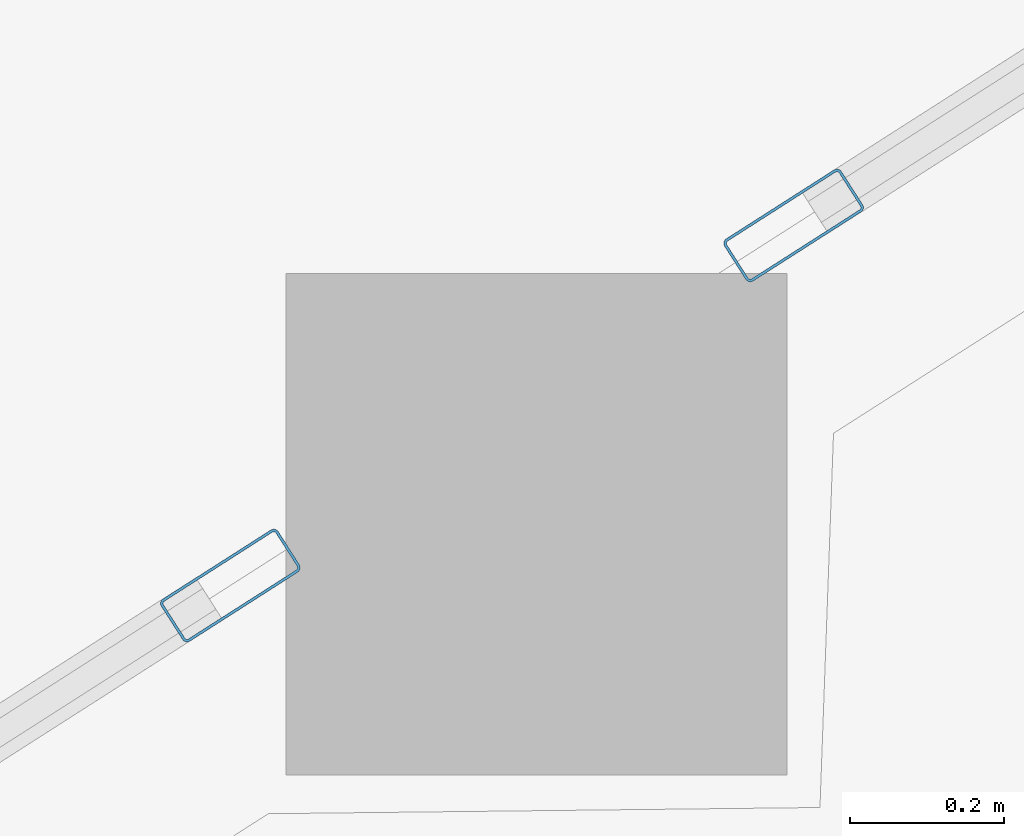
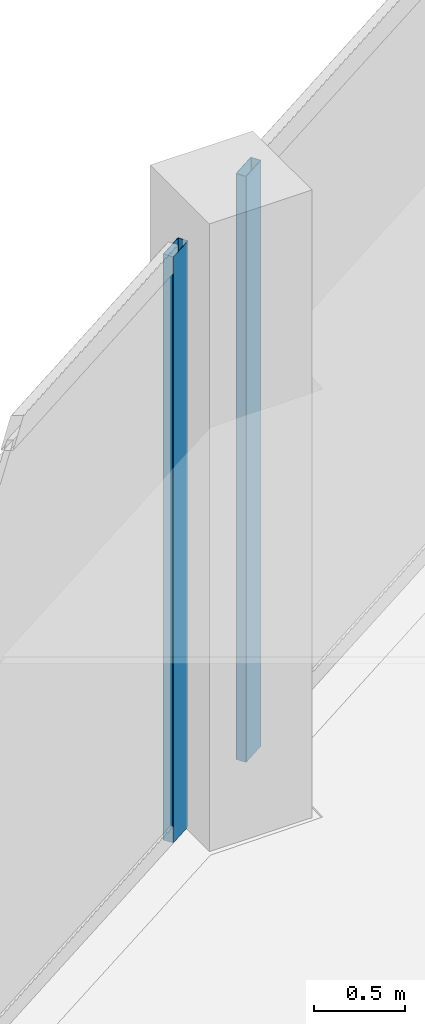
# One storey, part 16 of 44: 2 members, 2 elements without a shape of their own.
"""IFC4 building model written with IfcOpenShell, lengths in metres."""

from ifc_helpers import new_model, si_unit, direction, frame, origin, origin_2d, place, context, subcontext, project, spatial, hollow_rectangle, extrude, material, layer, layer_set, material_profile, profile_set, type_object, element, aggregate, save


model = new_model("IFC4")

# Units and contexts
model_context = context("Model", 3, precision=1e-05, world=origin(), true_north=direction((0.0, 1.0)))
body_context = subcontext(model_context, "Body", "Model", "MODEL_VIEW")
ifc_project = project(units=[si_unit("LENGTHUNIT", "METRE"), si_unit("AREAUNIT", "SQUARE_METRE"), si_unit("VOLUMEUNIT", "CUBIC_METRE"), si_unit("PLANEANGLEUNIT", "RADIAN"), si_unit("MASSUNIT", "GRAM", prefix="KILO")], contexts=[model_context])

# Site, building, storey
site_placement = place(None, origin())
site = spatial("IfcSite", under=ifc_project, at=site_placement, CompositionType="ELEMENT")
building_placement = place(site_placement, origin())
building = spatial("IfcBuilding", under=site, at=building_placement, Name="Qorvath Tower", CompositionType="ELEMENT")
storey_placement = place(building_placement, frame((0.0, 0.0, 40.800048828125)))
storey = spatial("IfcBuildingStorey", under=building, at=storey_placement, Name="L08", CompositionType="ELEMENT", Elevation=40.800048828125)

# Curtain wall, member
ifc_material_1 = material(Name="Anodised aluminium and triple low-E glass", Category="aluminium")
ifc_layer = layer(ifc_material_1, 0.179931640625)
ifc_layer_set = layer_set([ifc_layer], Name="CW-SYS-2")
curtain_wall_type = type_object("IfcCurtainWallType", Name="CW-SYS-2", PredefinedType="NOTDEFINED", material=ifc_layer_set)
curtain_wall_1_placement = place(storey_placement, origin())
curtain_wall_1 = element("IfcCurtainWall", 1, at=curtain_wall_1_placement, inside=storey, type_object=curtain_wall_type, Name="Curtain Wall CW-2 CW-T-L08-16.2", PredefinedType="NOTDEFINED")
ifc_material_2 = material(Name="Anodised aluminium 6063-T6", Category="aluminium")
ifc_material_profile = material_profile(ifc_material_2, hollow_rectangle(XDim=0.06494140625, YDim=0.179931640625, WallThickness=0.00341796875, InnerFilletRadius=0.00341796875, OuterFilletRadius=0.007080078125, at=origin_2d()), Name="CWM 180x65")
ifc_profile_set = profile_set([ifc_material_profile], Name="Anodised aluminium 6063-T6")
member_type = type_object("IfcMemberType", Name="CWM-180", PredefinedType="MULLION", material=ifc_profile_set)
member_1_placement = place(storey_placement, frame((-39.999267578125, 17.34326171875, 0.0), z_axis=(0.0, 0.0, 1.0), x_axis=(0.538541095387, -0.842599245537, 0.0)))
member_1 = element("IfcMember", 2, at=member_1_placement, type_object=member_type, Name="CW-2 mullion 5", PredefinedType="MULLION", context=body_context, shape_type="SweptSolid", body=[
    extrude(hollow_rectangle(XDim=0.06494140625, YDim=0.179931640625, WallThickness=0.00341796875, InnerFilletRadius=0.00341796875, OuterFilletRadius=0.007080078125, at=origin_2d()), origin(), (0.0, 0.0, 1.0), 3.919921875),
])
aggregate(curtain_wall_1, [member_1])

curtain_wall_2_placement = place(storey_placement, origin())
curtain_wall_2 = element("IfcCurtainWall", 3, at=curtain_wall_2_placement, inside=storey, type_object=curtain_wall_type, Name="Curtain Wall CW-2 CW-T-L08-16.3", PredefinedType="NOTDEFINED")
member_2_placement = place(storey_placement, frame((-40.729736328125, 16.876220703125, 0.0), z_axis=(0.0, 0.0, 1.0), x_axis=(0.538531853978, -0.842605152044, 0.0)))
member_2 = element("IfcMember", 4, at=member_2_placement, type_object=member_type, Name="CW-2 mullion 1", PredefinedType="MULLION", context=body_context, shape_type="SweptSolid", body=[
    extrude(hollow_rectangle(XDim=0.06494140625, YDim=0.179931640625, WallThickness=0.00341796875, InnerFilletRadius=0.00341796875, OuterFilletRadius=0.007080078125, at=origin_2d()), origin(), (0.0, 0.0, 1.0), 3.919921875),
])
aggregate(curtain_wall_2, [member_2])

save(model, "model.ifc")
